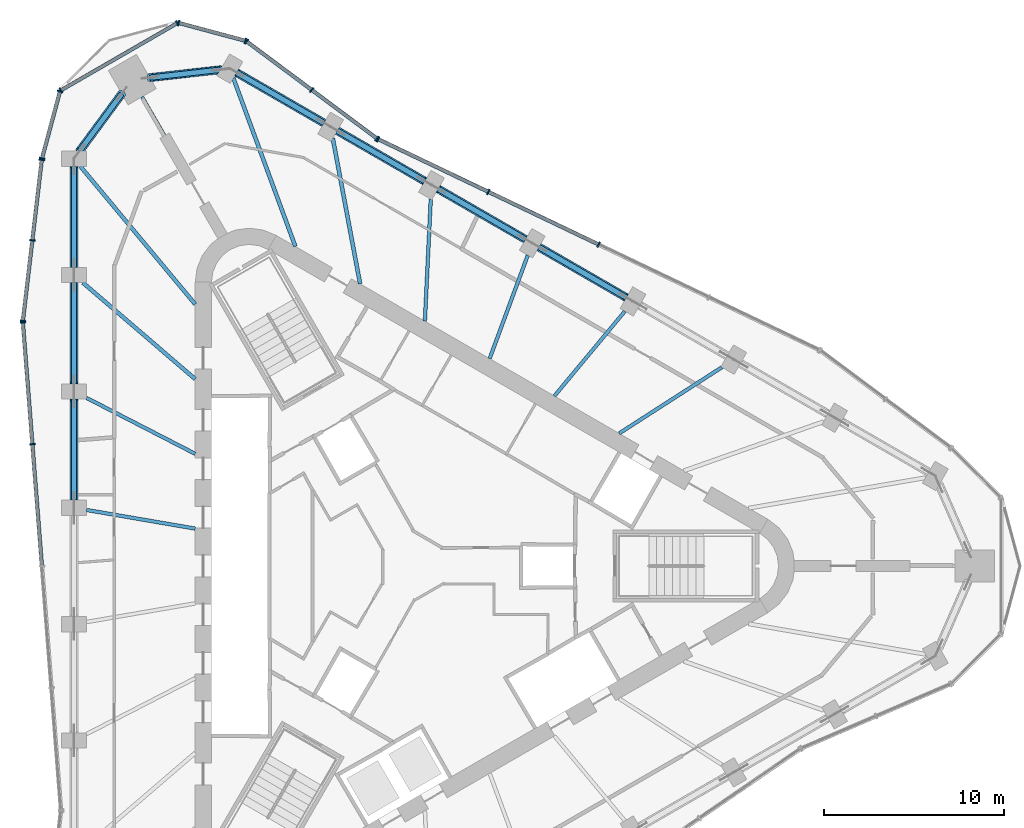
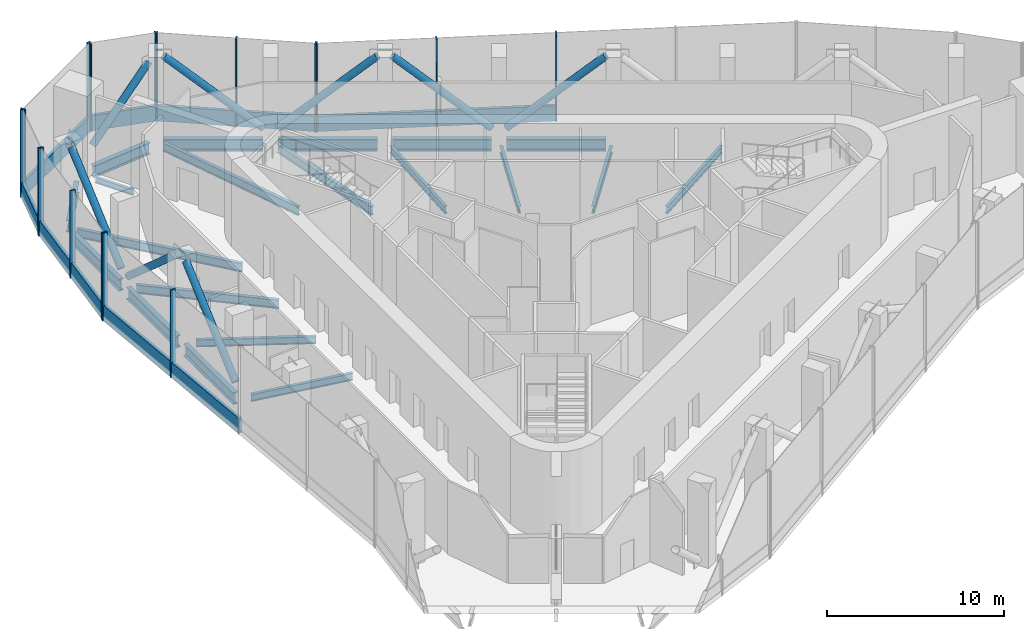
# One storey, part 4 of 15: 37 members, 20 beams, 7 elements without a shape of their own.
"""IFC4 building model written with IfcOpenShell, lengths in metres."""

from ifc_helpers import new_model, si_unit, direction, frame, origin, origin_2d, place, context, subcontext, project, spatial, rectangle, hollow_circle, i_section, extrude, material, material_profile, profile_set, type_object, element, aggregate, save


model = new_model("IFC4")

# Units and contexts
model_context = context("Model", 3, precision=1e-05, world=origin(), true_north=direction((0.0, 1.0)))
body_context = subcontext(model_context, "Body", "Model", "MODEL_VIEW")
ifc_project = project(units=[si_unit("LENGTHUNIT", "METRE"), si_unit("AREAUNIT", "SQUARE_METRE"), si_unit("VOLUMEUNIT", "CUBIC_METRE"), si_unit("PLANEANGLEUNIT", "RADIAN"), si_unit("MASSUNIT", "GRAM", prefix="KILO")], contexts=[model_context])

# Site, building, storey
site_placement = place(None, origin())
site = spatial("IfcSite", under=ifc_project, at=site_placement, CompositionType="ELEMENT")
building_placement = place(site_placement, origin())
building = spatial("IfcBuilding", under=site, at=building_placement, Name="Tanit Gate Tower", CompositionType="ELEMENT")
storey_placement = place(building_placement, frame((0.0, 0.0, 392.300048828125)))
storey = spatial("IfcBuildingStorey", under=building, at=storey_placement, Name="L90", CompositionType="ELEMENT", Elevation=392.300048828125)

# Beams
ifc_material_1 = material(Name="Steel S460", Category="steel")
ifc_material_profile_1 = material_profile(ifc_material_1, i_section(OverallWidth=0.302978515625, OverallDepth=0.81396484375, WebThickness=0.02099609375, FlangeThickness=0.0400390625, FilletRadius=0.030029296875, at=origin_2d()), Name="HEM 800")
ifc_profile_set_1 = profile_set([ifc_material_profile_1], Name="Steel S460")
beam_type_1 = type_object("IfcBeamType", Name="BELT TRUSS CHORD HEM 800 S460", PredefinedType="BEAM", material=ifc_profile_set_1)
for number, where, z_axis, x_axis, name in (
    (1, (11.847900390625, 14.9072265625, -0.757080078125), (-0.866032056001, 0.499988477847, 0.0), (-0.499988477847, -0.866032056001, 0.0), "BELT TRUSS CHORD"),
    (2, (6.25, 18.13916015625, -0.757080078125), (-0.866032056001, 0.499988477847, 0.0), (-0.499988477847, -0.866032056001, 0.0), "BELT TRUSS CHORD"),
    (3, (0.652099609375, 21.37109375, -0.757080078125), (-0.866032056001, 0.499988477847, 0.0), (-0.499988477847, -0.866032056001, 0.0), "BELT TRUSS CHORD"),
    (4, (-4.94580078125, 24.60302734375, -0.757080078125), (-0.866032056001, 0.499988477847, 0.0), (-0.499988477847, -0.866032056001, 0.0), "BELT TRUSS CHORD"),
):
    element("IfcBeam", number, at=place(storey_placement, frame(where, z_axis=z_axis, x_axis=x_axis)), inside=storey, type_object=beam_type_1, Name=name, PredefinedType="BEAM", context=body_context, shape_type="SweptSolid", body=[
        extrude(i_section(OverallWidth=0.302978515625, OverallDepth=0.81396484375, WebThickness=0.02099609375, FlangeThickness=0.0400390625, FilletRadius=0.030029296875, at=origin_2d()), origin(), (0.0, 0.0, 1.0), 5.614013671875),
    ])
for number, where, z_axis, x_axis, name in (
    (5, (-10.7001953125, 27.563720703125, -0.757080078125), (-0.993813360322, -0.111063066977, 0.0), (0.111063066977, -0.993813360322, 0.0), "BELT TRUSS CHORD"),
    (6, (-16.180419921875, 26.225341796875, -0.757080078125), (-0.593167379539, -0.805079163717, 0.0), (0.805079163717, -0.593167379539, 0.0), "BELT TRUSS CHORD"),
):
    element("IfcBeam", number, at=place(storey_placement, frame(where, z_axis=z_axis, x_axis=x_axis)), inside=storey, type_object=beam_type_1, Name=name, PredefinedType="BEAM", context=body_context, shape_type="SweptSolid", body=[
        extrude(i_section(OverallWidth=0.302978515625, OverallDepth=0.81396484375, WebThickness=0.02099609375, FlangeThickness=0.0400390625, FilletRadius=0.030029296875, at=origin_2d()), origin(), (0.0, 0.0, 1.0), 3.94580078125),
    ])
for number, where, z_axis, x_axis, name in (
    (7, (-18.833984375, 22.198486328125, -0.757080078125), (0.0, -1.0, 0.0), (1.0, 0.0, 0.0), "BELT TRUSS CHORD"),
    (8, (-18.833984375, 15.734619140625, -0.757080078125), (0.0, -1.0, 0.0), (1.0, 0.0, 0.0), "BELT TRUSS CHORD"),
    (9, (-18.833984375, 9.270751953125, -0.757080078125), (0.0, -1.0, 0.0), (1.0, 0.0, 0.0), "BELT TRUSS CHORD"),
):
    element("IfcBeam", number, at=place(storey_placement, frame(where, z_axis=z_axis, x_axis=x_axis)), inside=storey, type_object=beam_type_1, Name=name, PredefinedType="BEAM", context=body_context, shape_type="SweptSolid", body=[
        extrude(i_section(OverallWidth=0.302978515625, OverallDepth=0.81396484375, WebThickness=0.02099609375, FlangeThickness=0.0400390625, FilletRadius=0.030029296875, at=origin_2d()), origin(), (0.0, 0.0, 1.0), 5.61376953125),
    ])

# Members
ifc_material_2 = material(Name="Steel S460", Category="steel")
ifc_material_profile_2 = material_profile(ifc_material_2, hollow_circle(Radius=0.228515625, WallThickness=0.02001953125, at=origin_2d()), Name="CHS 457x20")
ifc_profile_set_2 = profile_set([ifc_material_profile_2], Name="Steel S460")
member_type_1 = type_object("IfcMemberType", Name="BELT TRUSS DIAGONAL CHS 457x20 S460", PredefinedType="BRACE", material=ifc_profile_set_2)
for number, where, z_axis, x_axis, name in (
    (10, (11.847900390625, 14.9072265625, 5.3251953125), (-0.649555840169, 0.375009716502, -0.661396192181), (-0.499988477847, -0.866032056001, 0.0), "BELT TRUSS DIAGONAL"),
    (11, (6.25, 18.13916015625, 0.374755859375), (-0.649555840169, 0.375009716502, 0.661396192181), (-0.499988477847, -0.866032056001, 0.0), "BELT TRUSS DIAGONAL"),
    (12, (0.652099609375, 21.37109375, 5.3251953125), (-0.649555840169, 0.375009716502, -0.661396192181), (-0.499988477847, -0.866032056001, 0.0), "BELT TRUSS DIAGONAL"),
    (13, (-4.94580078125, 24.60302734375, 0.374755859375), (-0.649555840169, 0.375009716502, 0.661396192181), (-0.499988477847, -0.866032056001, 0.0), "BELT TRUSS DIAGONAL"),
):
    element("IfcMember", number, at=place(storey_placement, frame(where, z_axis=z_axis, x_axis=x_axis)), inside=storey, type_object=member_type_1, Name=name, PredefinedType="BRACE", context=body_context, shape_type="SweptSolid", body=[
        extrude(hollow_circle(Radius=0.228515625, WallThickness=0.02001953125, at=origin_2d()), origin(), (0.0, 0.0, 1.0), 7.48486328125),
    ])
member_1_placement = place(storey_placement, frame((-10.7001953125, 27.56396484375, 5.1484375), z_axis=(-0.687190883457, -0.0768394239, -0.722401822138), x_axis=(0.111124176711, -0.993806529135, 0.0)))
element("IfcMember", 14, at=member_1_placement, inside=storey, type_object=member_type_1, Name="BELT TRUSS DIAGONAL", PredefinedType="BRACE", context=body_context, shape_type="SweptSolid", body=[
    extrude(hollow_circle(Radius=0.228515625, WallThickness=0.02001953125, at=origin_2d()), origin(), (0.0, 0.0, 1.0), 5.706298828125),
])
member_2_placement = place(storey_placement, frame((-16.180419921875, 26.225341796875, 1.026123046875), z_axis=(-0.4101633177, -0.556696056108, 0.722395704533), x_axis=(0.805079163717, -0.593167379539, 0.0)))
element("IfcMember", 15, at=member_2_placement, inside=storey, type_object=member_type_1, Name="BELT TRUSS DIAGONAL", PredefinedType="BRACE", context=body_context, shape_type="SweptSolid", body=[
    extrude(hollow_circle(Radius=0.228515625, WallThickness=0.02001953125, at=origin_2d()), origin(), (0.0, 0.0, 1.0), 5.70654296875),
])
for number, where, z_axis, x_axis, name in (
    (16, (-18.833984375, 22.198486328125, 5.3251953125), (0.0, -0.750029156102, -0.661404766386), (1.0, 0.0, 0.0), "BELT TRUSS DIAGONAL"),
    (17, (-18.833984375, 15.734619140625, 0.374755859375), (0.0, -0.750029156102, 0.661404766386), (1.0, 0.0, 0.0), "BELT TRUSS DIAGONAL"),
    (18, (-18.833984375, 9.270751953125, 5.3251953125), (0.0, -0.750029156102, -0.661404766386), (1.0, 0.0, 0.0), "BELT TRUSS DIAGONAL"),
):
    element("IfcMember", number, at=place(storey_placement, frame(where, z_axis=z_axis, x_axis=x_axis)), inside=storey, type_object=member_type_1, Name=name, PredefinedType="BRACE", context=body_context, shape_type="SweptSolid", body=[
        extrude(hollow_circle(Radius=0.228515625, WallThickness=0.02001953125, at=origin_2d()), origin(), (0.0, 0.0, 1.0), 7.484619140625),
    ])

# Curtain wall, members
ifc_material_3 = material(Name="Aluminium bronze anodised and glass", Category="aluminium")
curtain_wall_type = type_object("IfcCurtainWallType", Name="Curtain wall sky lobby", PredefinedType="NOTDEFINED", material=ifc_material_3)
curtain_wall_1_placement = place(storey_placement, origin())
curtain_wall_1 = element("IfcCurtainWall", 19, at=curtain_wall_1_placement, inside=storey, type_object=curtain_wall_type, Name="Curtain wall L90 NE2", PredefinedType="NOTDEFINED")
ifc_material_4 = material(Name="Aluminium bronze anodised", Category="aluminium")
ifc_material_profile_3 = material_profile(ifc_material_4, rectangle(XDim=0.320068359375, YDim=0.080078125, at=origin_2d()), Name="80x320 bronze mullion")
ifc_profile_set_3 = profile_set([ifc_material_profile_3], Name="Aluminium bronze anodised")
member_type_2 = type_object("IfcMemberType", Name="Mullion 80x320 sky lobby", PredefinedType="MULLION", material=ifc_profile_set_3)
member_3_placement = place(storey_placement, frame((10.3046875, 17.85302734375, -0.35009765625), z_axis=(0.0, 0.0, 1.0), x_axis=(-0.431072811819, -0.902317145415, 0.0)))
member_3 = element("IfcMember", 20, at=member_3_placement, type_object=member_type_2, Name="Mullion L90 NE2.3", PredefinedType="MULLION", context=body_context, shape_type="SweptSolid", body=[
    extrude(rectangle(XDim=0.320068359375, YDim=0.080078125, at=origin_2d()), origin(), (0.0, 0.0, 1.0), 6.050048828125),
])
member_4_placement = place(storey_placement, frame((4.179931640625, 20.779052734375, -0.35009765625), z_axis=(0.0, 0.0, 1.0), x_axis=(-0.431072811819, -0.902317145415, 0.0)))
member_4 = element("IfcMember", 21, at=member_4_placement, type_object=member_type_2, Name="Mullion L90 NE2.4", PredefinedType="MULLION", context=body_context, shape_type="SweptSolid", body=[
    extrude(rectangle(XDim=0.320068359375, YDim=0.080078125, at=origin_2d()), origin(), (0.0, 0.0, 1.0), 6.050048828125),
])
member_5_placement = place(storey_placement, frame((-1.94482421875, 23.704833984375, -0.35009765625), z_axis=(0.0, 0.0, 1.0), x_axis=(-0.431072811819, -0.902317145415, 0.0)))
member_5 = element("IfcMember", 22, at=member_5_placement, type_object=member_type_2, Name="Mullion L90 NE2.5", PredefinedType="MULLION", context=body_context, shape_type="SweptSolid", body=[
    extrude(rectangle(XDim=0.320068359375, YDim=0.080078125, at=origin_2d()), origin(), (0.0, 0.0, 1.0), 6.050048828125),
])

curtain_wall_2_placement = place(storey_placement, origin())
curtain_wall_2 = element("IfcCurtainWall", 23, at=curtain_wall_2_placement, inside=storey, type_object=curtain_wall_type, Name="Curtain wall L90 NE3", PredefinedType="NOTDEFINED")
member_6_placement = place(storey_placement, frame((-2.012939453125, 23.74609375, -0.35009765625), z_axis=(0.0, 0.0, 1.0), x_axis=(-0.59734052401, -0.801987717098, 0.0)))
member_6 = element("IfcMember", 24, at=member_6_placement, type_object=member_type_2, Name="Mullion L90 NE3.1", PredefinedType="MULLION", context=body_context, shape_type="SweptSolid", body=[
    extrude(rectangle(XDim=0.320068359375, YDim=0.080078125, at=origin_2d()), origin(), (0.0, 0.0, 1.0), 6.050048828125),
])
member_7_placement = place(storey_placement, frame((-5.6298828125, 26.440185546875, -0.35009765625), z_axis=(0.0, 0.0, 1.0), x_axis=(-0.59734052401, -0.801987717098, 0.0)))
member_7 = element("IfcMember", 25, at=member_7_placement, type_object=member_type_2, Name="Mullion L90 NE3.2", PredefinedType="MULLION", context=body_context, shape_type="SweptSolid", body=[
    extrude(rectangle(XDim=0.320068359375, YDim=0.080078125, at=origin_2d()), origin(), (0.0, 0.0, 1.0), 6.050048828125),
])
member_8_placement = place(storey_placement, frame((-9.246826171875, 29.134033203125, -0.35009765625), z_axis=(0.0, 0.0, 1.0), x_axis=(-0.59734052401, -0.801987717098, 0.0)))
member_8 = element("IfcMember", 26, at=member_8_placement, type_object=member_type_2, Name="Mullion L90 NE3.3", PredefinedType="MULLION", context=body_context, shape_type="SweptSolid", body=[
    extrude(rectangle(XDim=0.320068359375, YDim=0.080078125, at=origin_2d()), origin(), (0.0, 0.0, 1.0), 6.050048828125),
])

curtain_wall_3_placement = place(storey_placement, origin())
curtain_wall_3 = element("IfcCurtainWall", 27, at=curtain_wall_3_placement, inside=storey, type_object=curtain_wall_type, Name="Curtain wall L90 NW.arc1", PredefinedType="NOTDEFINED")
member_9_placement = place(storey_placement, frame((-9.317626953125, 29.16845703125, -0.35009765625), z_axis=(0.0, 0.0, 1.0), x_axis=(-0.258819045103, -0.965925826289, 0.0)))
member_9 = element("IfcMember", 28, at=member_9_placement, type_object=member_type_2, Name="Mullion L90 NW.arc1.1", PredefinedType="MULLION", context=body_context, shape_type="SweptSolid", body=[
    extrude(rectangle(XDim=0.320068359375, YDim=0.080078125, at=origin_2d()), origin(), (0.0, 0.0, 1.0), 6.050048828125),
])
member_10_placement = place(storey_placement, frame((-13.023193359375, 30.161376953125, -0.35009765625), z_axis=(0.0, 0.0, 1.0), x_axis=(-0.258819045103, -0.965925826289, 0.0)))
member_10 = element("IfcMember", 29, at=member_10_placement, type_object=member_type_2, Name="Mullion L90 NW.arc1.2", PredefinedType="MULLION", context=body_context, shape_type="SweptSolid", body=[
    extrude(rectangle(XDim=0.320068359375, YDim=0.080078125, at=origin_2d()), origin(), (0.0, 0.0, 1.0), 6.050048828125),
])

curtain_wall_4_placement = place(storey_placement, origin())
curtain_wall_4 = element("IfcCurtainWall", 30, at=curtain_wall_4_placement, inside=storey, type_object=curtain_wall_type, Name="Curtain wall L90 NW.arc2", PredefinedType="NOTDEFINED")
member_11_placement = place(storey_placement, frame((-13.096435546875, 30.151611328125, -0.35009765625), z_axis=(0.0, 0.0, 1.0), x_axis=(0.5, -0.866025403784, 0.0)))
member_11 = element("IfcMember", 31, at=member_11_placement, type_object=member_type_2, Name="Mullion L90 NW.arc2.1", PredefinedType="MULLION", context=body_context, shape_type="SweptSolid", body=[
    extrude(rectangle(XDim=0.320068359375, YDim=0.080078125, at=origin_2d()), origin(), (0.0, 0.0, 1.0), 6.050048828125),
])
member_12_placement = place(storey_placement, frame((-19.56396484375, 26.417724609375, -0.35009765625), z_axis=(0.0, 0.0, 1.0), x_axis=(0.5, -0.866025403784, 0.0)))
member_12 = element("IfcMember", 32, at=member_12_placement, type_object=member_type_2, Name="Mullion L90 NW.arc2.2", PredefinedType="MULLION", context=body_context, shape_type="SweptSolid", body=[
    extrude(rectangle(XDim=0.320068359375, YDim=0.080078125, at=origin_2d()), origin(), (0.0, 0.0, 1.0), 6.050048828125),
])

curtain_wall_5_placement = place(storey_placement, origin())
curtain_wall_5 = element("IfcCurtainWall", 33, at=curtain_wall_5_placement, inside=storey, type_object=curtain_wall_type, Name="Curtain wall L90 NW.arc3", PredefinedType="NOTDEFINED")
member_13_placement = place(storey_placement, frame((-19.60888671875, 26.35888671875, -0.35009765625), z_axis=(0.0, 0.0, 1.0), x_axis=(0.965925826289, -0.258819045103, 0.0)))
member_13 = element("IfcMember", 34, at=member_13_placement, type_object=member_type_2, Name="Mullion L90 NW.arc3.1", PredefinedType="MULLION", context=body_context, shape_type="SweptSolid", body=[
    extrude(rectangle(XDim=0.320068359375, YDim=0.080078125, at=origin_2d()), origin(), (0.0, 0.0, 1.0), 6.050048828125),
])
member_14_placement = place(storey_placement, frame((-20.60546875, 22.6396484375, -0.35009765625), z_axis=(0.0, 0.0, 1.0), x_axis=(0.965925826289, -0.258819045103, 0.0)))
member_14 = element("IfcMember", 35, at=member_14_placement, type_object=member_type_2, Name="Mullion L90 NW.arc3.2", PredefinedType="MULLION", context=body_context, shape_type="SweptSolid", body=[
    extrude(rectangle(XDim=0.320068359375, YDim=0.080078125, at=origin_2d()), origin(), (0.0, 0.0, 1.0), 6.050048828125),
])

curtain_wall_6_placement = place(storey_placement, origin())
curtain_wall_6 = element("IfcCurtainWall", 36, at=curtain_wall_6_placement, inside=storey, type_object=curtain_wall_type, Name="Curtain wall L90 W1", PredefinedType="NOTDEFINED")
member_15_placement = place(storey_placement, frame((-20.620361328125, 22.561279296875, -0.35009765625), z_axis=(0.0, 0.0, 1.0), x_axis=(0.993211998535, -0.116318209953, 0.0)))
member_15 = element("IfcMember", 37, at=member_15_placement, type_object=member_type_2, Name="Mullion L90 W1.1", PredefinedType="MULLION", context=body_context, shape_type="SweptSolid", body=[
    extrude(rectangle(XDim=0.320068359375, YDim=0.080078125, at=origin_2d()), origin(), (0.0, 0.0, 1.0), 6.050048828125),
])
member_16_placement = place(storey_placement, frame((-21.14453125, 18.08642578125, -0.35009765625), z_axis=(0.0, 0.0, 1.0), x_axis=(0.993211998535, -0.116318209953, 0.0)))
member_16 = element("IfcMember", 38, at=member_16_placement, type_object=member_type_2, Name="Mullion L90 W1.2", PredefinedType="MULLION", context=body_context, shape_type="SweptSolid", body=[
    extrude(rectangle(XDim=0.320068359375, YDim=0.080078125, at=origin_2d()), origin(), (0.0, 0.0, 1.0), 6.050048828125),
])
member_17_placement = place(storey_placement, frame((-21.668701171875, 13.611572265625, -0.35009765625), z_axis=(0.0, 0.0, 1.0), x_axis=(0.993211998535, -0.116318209953, 0.0)))
member_17 = element("IfcMember", 39, at=member_17_placement, type_object=member_type_2, Name="Mullion L90 W1.3", PredefinedType="MULLION", context=body_context, shape_type="SweptSolid", body=[
    extrude(rectangle(XDim=0.320068359375, YDim=0.080078125, at=origin_2d()), origin(), (0.0, 0.0, 1.0), 6.050048828125),
])

curtain_wall_7_placement = place(storey_placement, origin())
curtain_wall_7 = element("IfcCurtainWall", 40, at=curtain_wall_7_placement, inside=storey, type_object=curtain_wall_type, Name="Curtain wall L90 W2", PredefinedType="NOTDEFINED")
member_18_placement = place(storey_placement, frame((-21.670166015625, 13.531982421875, -0.35009765625), z_axis=(0.0, 0.0, 1.0), x_axis=(0.996965976109, 0.077838566791, 0.0)))
member_18 = element("IfcMember", 41, at=member_18_placement, type_object=member_type_2, Name="Mullion L90 W2.1", PredefinedType="MULLION", context=body_context, shape_type="SweptSolid", body=[
    extrude(rectangle(XDim=0.320068359375, YDim=0.080078125, at=origin_2d()), origin(), (0.0, 0.0, 1.0), 6.050048828125),
])
member_19_placement = place(storey_placement, frame((-21.141845703125, 6.764892578125, -0.35009765625), z_axis=(0.0, 0.0, 1.0), x_axis=(0.996965976109, 0.077838566791, 0.0)))
member_19 = element("IfcMember", 42, at=member_19_placement, type_object=member_type_2, Name="Mullion L90 W2.2", PredefinedType="MULLION", context=body_context, shape_type="SweptSolid", body=[
    extrude(rectangle(XDim=0.320068359375, YDim=0.080078125, at=origin_2d()), origin(), (0.0, 0.0, 1.0), 6.050048828125),
])

# Beams
ifc_material_5 = material(Name="Steel S355", Category="steel")
ifc_material_profile_4 = material_profile(ifc_material_5, i_section(OverallWidth=0.179931640625, OverallDepth=0.39990234375, WebThickness=0.008544921875, FlangeThickness=0.013427734375, FilletRadius=0.02099609375, at=origin_2d()), Name="IPE 400")
ifc_profile_set_4 = profile_set([ifc_material_profile_4], Name="Steel S355")
beam_type_2 = type_object("IfcBeamType", Name="RADIAL GIRDER IPE 400 S355", PredefinedType="BEAM", material=ifc_profile_set_4)
beam_1_placement = place(storey_placement, frame((-15.0478515625, 26.063720703125, -0.550048828125), z_axis=(0.499965672037, -0.866045222136, 0.0), x_axis=(0.866045222136, 0.499965672037, 0.0)))
element("IfcBeam", 43, at=beam_1_placement, inside=storey, type_object=beam_type_2, Name="RADIAL GIRDER", PredefinedType="BEAM", context=body_context, shape_type="SweptSolid", body=[
    extrude(i_section(OverallWidth=0.179931640625, OverallDepth=0.39990234375, WebThickness=0.008544921875, FlangeThickness=0.013427734375, FilletRadius=0.02099609375, at=origin_2d()), origin(), (0.0, 0.0, 1.0), 2.490966796875),
])
ifc_material_6 = material(Name="Steel S355", Category="steel")
ifc_material_profile_5 = material_profile(ifc_material_6, i_section(OverallWidth=0.199951171875, OverallDepth=0.5, WebThickness=0.01025390625, FlangeThickness=0.01611328125, FilletRadius=0.02099609375, at=origin_2d()), Name="IPE 500")
ifc_profile_set_5 = profile_set([ifc_material_profile_5], Name="Steel S355")
beam_type_3 = type_object("IfcBeamType", Name="RADIAL GIRDER IPE 500 S355", PredefinedType="BEAM", material=ifc_profile_set_5)
beam_2_placement = place(storey_placement, frame((17.151611328125, 11.036865234375, -0.60009765625), z_axis=(-0.840921151668, -0.541157663419, 0.0), x_axis=(0.541157663419, -0.840921151668, 0.0)))
element("IfcBeam", 44, at=beam_2_placement, inside=storey, type_object=beam_type_3, Name="RADIAL GIRDER", PredefinedType="BEAM", context=body_context, shape_type="SweptSolid", body=[
    extrude(i_section(OverallWidth=0.199951171875, OverallDepth=0.5, WebThickness=0.01025390625, FlangeThickness=0.01611328125, FilletRadius=0.02099609375, at=origin_2d()), origin(), (0.0, 0.0, 1.0), 6.784423828125),
])
beam_3_placement = place(storey_placement, frame((11.761962890625, 14.1484375, -0.60009765625), z_axis=(-0.639281465972, -0.76897282609, 0.0), x_axis=(0.76897282609, -0.639281465972, 0.0)))
element("IfcBeam", 45, at=beam_3_placement, inside=storey, type_object=beam_type_3, Name="RADIAL GIRDER", PredefinedType="BEAM", context=body_context, shape_type="SweptSolid", body=[
    extrude(i_section(OverallWidth=0.199951171875, OverallDepth=0.5, WebThickness=0.01025390625, FlangeThickness=0.01611328125, FilletRadius=0.02099609375, at=origin_2d()), origin(), (0.0, 0.0, 1.0), 6.119873046875),
])
beam_4_placement = place(storey_placement, frame((6.3720703125, 17.260498046875, -0.60009765625), z_axis=(-0.346331956525, -0.938112027366, 0.0), x_axis=(0.938112027366, -0.346331956525, 0.0)))
element("IfcBeam", 46, at=beam_4_placement, inside=storey, type_object=beam_type_3, Name="RADIAL GIRDER", PredefinedType="BEAM", context=body_context, shape_type="SweptSolid", body=[
    extrude(i_section(OverallWidth=0.199951171875, OverallDepth=0.5, WebThickness=0.01025390625, FlangeThickness=0.01611328125, FilletRadius=0.02099609375, at=origin_2d()), origin(), (0.0, 0.0, 1.0), 6.1201171875),
])
for number, where, z_axis, x_axis, name in (
    (47, (0.982177734375, 20.372314453125, -0.60009765625), (-0.048148149824, -0.998840205272, 0.0), (0.998840205272, -0.048148149824, 0.0), "RADIAL GIRDER"),
    (48, (-18.134033203125, 9.33544921875, -0.60009765625), (0.889089509104, -0.457733377416, 0.0), (0.457733377416, 0.889089509104, 0.0), "RADIAL GIRDER"),
):
    element("IfcBeam", number, at=place(storey_placement, frame(where, z_axis=z_axis, x_axis=x_axis)), inside=storey, type_object=beam_type_3, Name=name, PredefinedType="BEAM", context=body_context, shape_type="SweptSolid", body=[
        extrude(i_section(OverallWidth=0.199951171875, OverallDepth=0.5, WebThickness=0.01025390625, FlangeThickness=0.01611328125, FilletRadius=0.02099609375, at=origin_2d()), origin(), (0.0, 0.0, 1.0), 6.784423828125),
    ])
beam_5_placement = place(storey_placement, frame((-18.134033203125, 3.11181640625, -0.60009765625), z_axis=(0.985592249699, -0.169138751719, 0.0), x_axis=(0.169138751719, 0.985592249699, 0.0)))
element("IfcBeam", 49, at=beam_5_placement, inside=storey, type_object=beam_type_3, Name="RADIAL GIRDER", PredefinedType="BEAM", context=body_context, shape_type="SweptSolid", body=[
    extrude(i_section(OverallWidth=0.199951171875, OverallDepth=0.5, WebThickness=0.01025390625, FlangeThickness=0.01611328125, FilletRadius=0.02099609375, at=origin_2d()), origin(), (0.0, 0.0, 1.0), 6.1201171875),
])
ifc_material_7 = material(Name="Steel S355", Category="steel")
ifc_material_profile_6 = material_profile(ifc_material_7, i_section(OverallWidth=0.219970703125, OverallDepth=0.60009765625, WebThickness=0.011962890625, FlangeThickness=0.01904296875, FilletRadius=0.02392578125, at=origin_2d()), Name="IPE 600")
ifc_profile_set_6 = profile_set([ifc_material_profile_6], Name="Steel S355")
beam_type_4 = type_object("IfcBeamType", Name="RADIAL GIRDER IPE 600 S355", PredefinedType="BEAM", material=ifc_profile_set_6)
beam_6_placement = place(storey_placement, frame((-4.45751953125, 23.7490234375, -0.650146484375), z_axis=(0.184498405984, -0.982832812939, 0.0), x_axis=(0.982832812939, 0.184498405984, 0.0)))
element("IfcBeam", 50, at=beam_6_placement, inside=storey, type_object=beam_type_4, Name="RADIAL GIRDER", PredefinedType="BEAM", context=body_context, shape_type="SweptSolid", body=[
    extrude(i_section(OverallWidth=0.219970703125, OverallDepth=0.60009765625, WebThickness=0.011962890625, FlangeThickness=0.01904296875, FilletRadius=0.02392578125, at=origin_2d()), origin(), (0.0, 0.0, 1.0), 8.217529296875),
])
for number, where, z_axis, x_axis, name in (
    (51, (-9.984619140625, 27.103515625, -0.650146484375), (0.345682660263, -0.938351479134, 0.0), (0.938351479134, 0.345682660263, 0.0), "RADIAL GIRDER"),
    (52, (-18.480224609375, 22.198486328125, -0.650146484375), (0.639810946261, -0.768532337019, 0.0), (0.768532337019, 0.639810946261, 0.0), "RADIAL GIRDER"),
):
    element("IfcBeam", number, at=place(storey_placement, frame(where, z_axis=z_axis, x_axis=x_axis)), inside=storey, type_object=beam_type_4, Name=name, PredefinedType="BEAM", context=body_context, shape_type="SweptSolid", body=[
        extrude(i_section(OverallWidth=0.219970703125, OverallDepth=0.60009765625, WebThickness=0.011962890625, FlangeThickness=0.01904296875, FilletRadius=0.02392578125, at=origin_2d()), origin(), (0.0, 0.0, 1.0), 9.96875),
    ])
beam_7_placement = place(storey_placement, frame((-18.338623046875, 15.734619140625, -0.650146484375), z_axis=(0.758929352331, -0.651172971008, 0.0), x_axis=(0.651172971008, 0.758929352331, 0.0)))
element("IfcBeam", 53, at=beam_7_placement, inside=storey, type_object=beam_type_4, Name="RADIAL GIRDER", PredefinedType="BEAM", context=body_context, shape_type="SweptSolid", body=[
    extrude(i_section(OverallWidth=0.219970703125, OverallDepth=0.60009765625, WebThickness=0.011962890625, FlangeThickness=0.01904296875, FilletRadius=0.02392578125, at=origin_2d()), origin(), (0.0, 0.0, 1.0), 8.217529296875),
])

# Member
ifc_material_8 = material(Name="Aluminium bronze anodised", Category="aluminium")
ifc_material_profile_7 = material_profile(ifc_material_8, rectangle(XDim=0.199951171875, YDim=1.050048828125, at=origin_2d()), Name="200x1050 bronze transom")
ifc_profile_set_7 = profile_set([ifc_material_profile_7], Name="Aluminium bronze anodised")
member_type_3 = type_object("IfcMemberType", Name="Transom 200x1050 sky lobby", PredefinedType="USERDEFINED", material=ifc_profile_set_7)
member_20_placement = place(storey_placement, frame((10.2685546875, 17.8701171875, 0.175048828125), z_axis=(-0.902312153024, 0.431083261685, 0.0), x_axis=(-0.431083261685, -0.902312153024, 0.0)))
member_20 = element("IfcMember", 54, at=member_20_placement, type_object=member_type_3, Name="Transom L90 NE2.3", ObjectType="TRANSOM", PredefinedType="USERDEFINED", context=body_context, shape_type="SweptSolid", body=[
    extrude(rectangle(XDim=0.199951171875, YDim=1.050048828125, at=origin_2d()), origin(), (0.0, 0.0, 1.0), 6.707763671875),
])

member_21_placement = place(storey_placement, frame((4.14404296875, 20.796142578125, 0.175048828125), z_axis=(-0.902318916403, 0.431069104787, 0.0), x_axis=(-0.431069104787, -0.902318916403, 0.0)))
member_21 = element("IfcMember", 55, at=member_21_placement, type_object=member_type_3, Name="Transom L90 NE2.4", ObjectType="TRANSOM", PredefinedType="USERDEFINED", context=body_context, shape_type="SweptSolid", body=[
    extrude(rectangle(XDim=0.199951171875, YDim=1.050048828125, at=origin_2d()), origin(), (0.0, 0.0, 1.0), 6.7080078125),
])

aggregate(curtain_wall_1, [member_3, member_4, member_5, member_20, member_21])

member_22_placement = place(storey_placement, frame((-2.044921875, 23.77001953125, 0.175048828125), z_axis=(-0.801979633129, 0.59735137737, 0.0), x_axis=(-0.59735137737, -0.801979633129, 0.0)))
member_22 = element("IfcMember", 56, at=member_22_placement, type_object=member_type_3, Name="Transom L90 NE3.1", ObjectType="TRANSOM", PredefinedType="USERDEFINED", context=body_context, shape_type="SweptSolid", body=[
    extrude(rectangle(XDim=0.199951171875, YDim=1.050048828125, at=origin_2d()), origin(), (0.0, 0.0, 1.0), 4.429931640625),
])

member_23_placement = place(storey_placement, frame((-5.661865234375, 26.4638671875, 0.175048828125), z_axis=(-0.801999297117, 0.597324976393, 0.0), x_axis=(-0.597324976393, -0.801999297117, 0.0)))
member_23 = element("IfcMember", 57, at=member_23_placement, type_object=member_type_3, Name="Transom L90 NE3.2", ObjectType="TRANSOM", PredefinedType="USERDEFINED", context=body_context, shape_type="SweptSolid", body=[
    extrude(rectangle(XDim=0.199951171875, YDim=1.050048828125, at=origin_2d()), origin(), (0.0, 0.0, 1.0), 4.43017578125),
])

aggregate(curtain_wall_2, [member_6, member_7, member_8, member_22, member_23])

member_24_placement = place(storey_placement, frame((-9.356201171875, 29.1787109375, 0.175048828125), z_axis=(-0.96592571171, 0.258819472716, 0.0), x_axis=(-0.258819472716, -0.96592571171, 0.0)))
member_24 = element("IfcMember", 58, at=member_24_placement, type_object=member_type_3, Name="Transom L90 NW.arc1.1", ObjectType="TRANSOM", PredefinedType="USERDEFINED", context=body_context, shape_type="SweptSolid", body=[
    extrude(rectangle(XDim=0.199951171875, YDim=1.050048828125, at=origin_2d()), origin(), (0.0, 0.0, 1.0), 3.756103515625),
])

aggregate(curtain_wall_3, [member_9, member_10, member_24])

member_25_placement = place(storey_placement, frame((-13.131103515625, 30.131591796875, 0.175048828125), z_axis=(-0.866019944892, -0.500009454961, 0.0), x_axis=(0.500009454961, -0.866019944892, 0.0)))
member_25 = element("IfcMember", 59, at=member_25_placement, type_object=member_type_3, Name="Transom L90 NW.arc2.1", ObjectType="TRANSOM", PredefinedType="USERDEFINED", context=body_context, shape_type="SweptSolid", body=[
    extrude(rectangle(XDim=0.199951171875, YDim=1.050048828125, at=origin_2d()), origin(), (0.0, 0.0, 1.0), 7.387939453125),
])

aggregate(curtain_wall_4, [member_11, member_12, member_25])

member_26_placement = place(storey_placement, frame((-19.619140625, 26.3203125, 0.175048828125), z_axis=(-0.258802972312, -0.965930132837, 0.0), x_axis=(0.965930132837, -0.258802972312, 0.0)))
member_26 = element("IfcMember", 60, at=member_26_placement, type_object=member_type_3, Name="Transom L90 NW.arc3.1", ObjectType="TRANSOM", PredefinedType="USERDEFINED", context=body_context, shape_type="SweptSolid", body=[
    extrude(rectangle(XDim=0.199951171875, YDim=1.050048828125, at=origin_2d()), origin(), (0.0, 0.0, 1.0), 3.7705078125),
])

aggregate(curtain_wall_5, [member_13, member_14, member_26])

member_27_placement = place(storey_placement, frame((-20.625, 22.521484375, 0.175048828125), z_axis=(-0.116351490512, -0.993208100378, 0.0), x_axis=(0.993208100378, -0.116351490512, 0.0)))
member_27 = element("IfcMember", 61, at=member_27_placement, type_object=member_type_3, Name="Transom L90 W1.1", ObjectType="TRANSOM", PredefinedType="USERDEFINED", context=body_context, shape_type="SweptSolid", body=[
    extrude(rectangle(XDim=0.199951171875, YDim=1.050048828125, at=origin_2d()), origin(), (0.0, 0.0, 1.0), 4.42529296875),
])

member_28_placement = place(storey_placement, frame((-21.149169921875, 18.046630859375, 0.175048828125), z_axis=(-0.116351490512, -0.993208100378, 0.0), x_axis=(0.993208100378, -0.116351490512, 0.0)))
member_28 = element("IfcMember", 62, at=member_28_placement, type_object=member_type_3, Name="Transom L90 W1.2", ObjectType="TRANSOM", PredefinedType="USERDEFINED", context=body_context, shape_type="SweptSolid", body=[
    extrude(rectangle(XDim=0.199951171875, YDim=1.050048828125, at=origin_2d()), origin(), (0.0, 0.0, 1.0), 4.42529296875),
])

aggregate(curtain_wall_6, [member_15, member_16, member_17, member_27, member_28])

member_29_placement = place(storey_placement, frame((-21.6669921875, 13.4921875, 0.175048828125), z_axis=(0.077851491829, -0.996964966897, 0.0), x_axis=(0.996964966897, 0.077851491829, 0.0)))
member_29 = element("IfcMember", 63, at=member_29_placement, type_object=member_type_3, Name="Transom L90 W2.1", ObjectType="TRANSOM", PredefinedType="USERDEFINED", context=body_context, shape_type="SweptSolid", body=[
    extrude(rectangle(XDim=0.199951171875, YDim=1.050048828125, at=origin_2d()), origin(), (0.0, 0.0, 1.0), 6.707763671875),
])

member_30_placement = place(storey_placement, frame((-21.138671875, 6.72509765625, 0.175048828125), z_axis=(0.077851491829, -0.996964966897, 0.0), x_axis=(0.996964966897, 0.077851491829, 0.0)))
member_30 = element("IfcMember", 64, at=member_30_placement, type_object=member_type_3, Name="Transom L90 W2.2", ObjectType="TRANSOM", PredefinedType="USERDEFINED", context=body_context, shape_type="SweptSolid", body=[
    extrude(rectangle(XDim=0.199951171875, YDim=1.050048828125, at=origin_2d()), origin(), (0.0, 0.0, 1.0), 6.707763671875),
])

aggregate(curtain_wall_7, [member_18, member_19, member_29, member_30])

save(model, "model.ifc")
